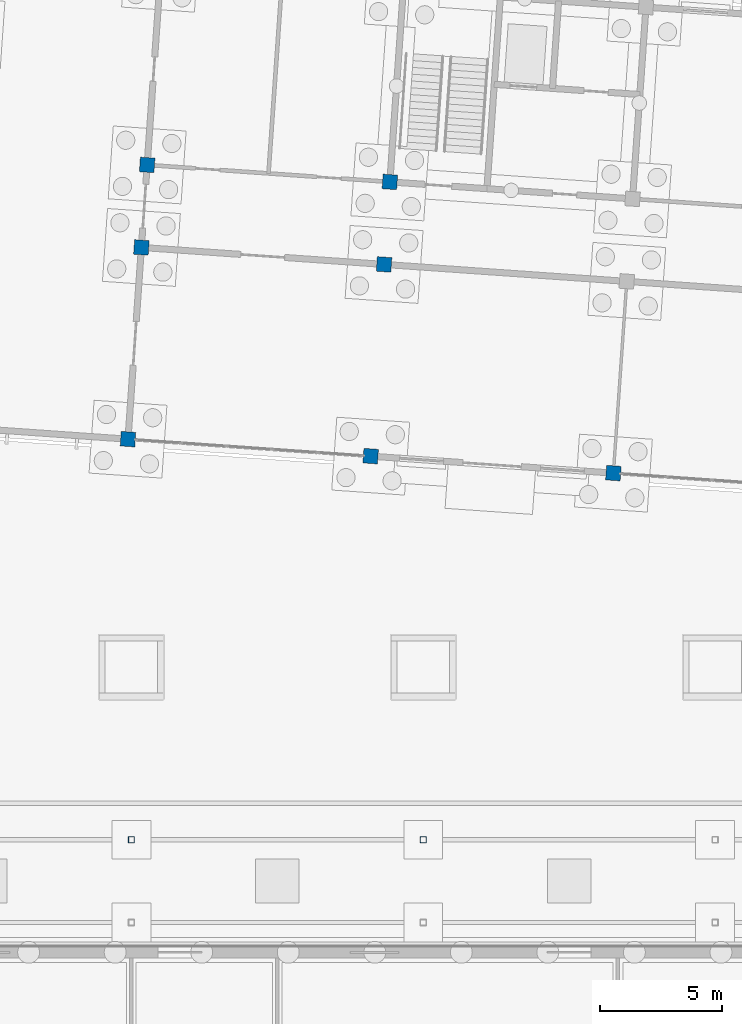
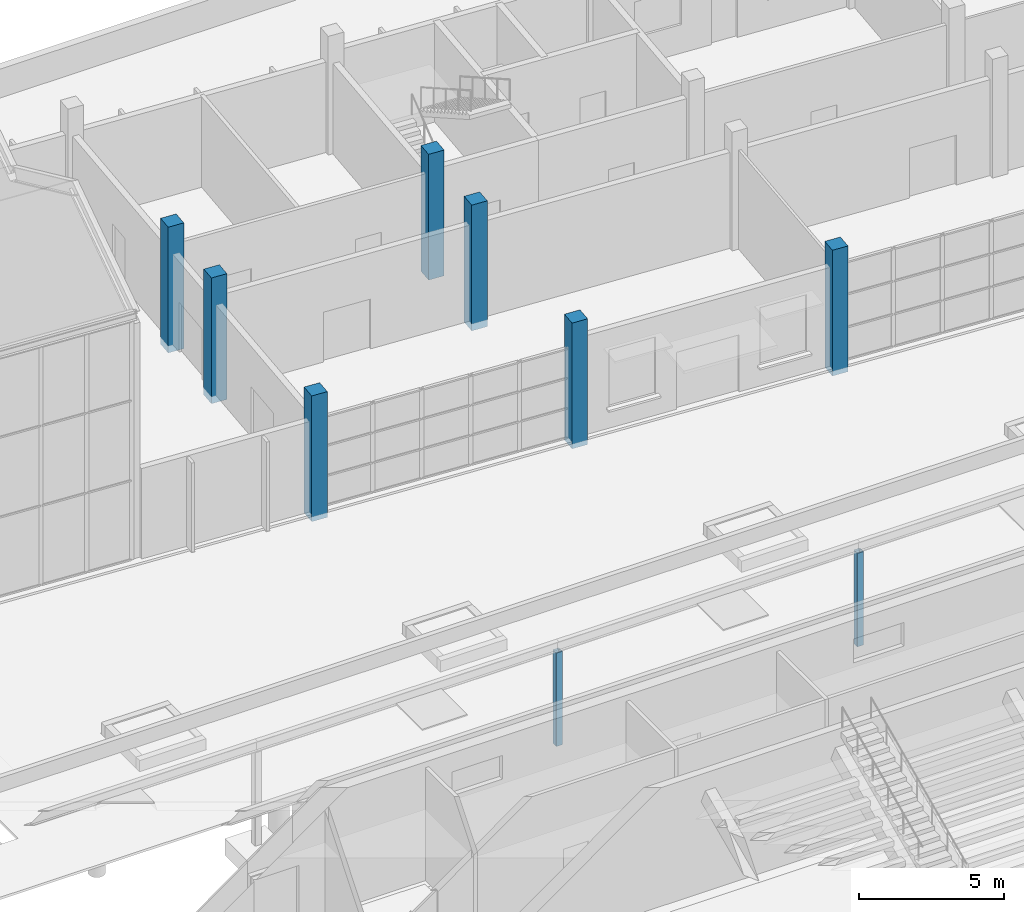
# One storey, part 19 of 157: 9 columns.
"""IFC4 building model written with IfcOpenShell, lengths in metres."""

from ifc_helpers import new_model, si_unit, direction, frame, origin, origin_2d, place, context, subcontext, project, spatial, rectangle, hollow_rectangle, extrude, material, material_profile, profile_set, type_object, element, save


model = new_model("IFC4")

# Units and contexts
model_context = context("Model", 3, precision=1e-05, world=origin(), true_north=direction((0.0, 1.0)))
body_context = subcontext(model_context, "Body", "Model", "MODEL_VIEW")
ifc_project = project(units=[si_unit("LENGTHUNIT", "METRE"), si_unit("AREAUNIT", "SQUARE_METRE"), si_unit("VOLUMEUNIT", "CUBIC_METRE"), si_unit("PLANEANGLEUNIT", "RADIAN"), si_unit("MASSUNIT", "GRAM", prefix="KILO")], contexts=[model_context])

# Site, building, storey
site_placement = place(None, origin())
site = spatial("IfcSite", under=ifc_project, at=site_placement, CompositionType="ELEMENT")
building_placement = place(site_placement, origin())
building = spatial("IfcBuilding", under=site, at=building_placement, Name="Windward Yard Aquatics Centre", CompositionType="ELEMENT")
storey_placement = place(building_placement, origin())
storey = spatial("IfcBuildingStorey", under=building, at=storey_placement, Name="L00", CompositionType="ELEMENT", Elevation=0.0)

# Columns
ifc_material_1 = material(Name="Steel ASTM A500 Gr C", Category="steel")
ifc_material_profile_1 = material_profile(ifc_material_1, hollow_rectangle(XDim=0.25390625, YDim=0.25390625, WallThickness=0.0126953125, InnerFilletRadius=0.00634765625, OuterFilletRadius=0.01904296875, at=origin_2d()), Name="HSS254X254X12.7")
ifc_profile_set_1 = profile_set([ifc_material_profile_1], Name="Steel ASTM A500 Gr C")
column_type_1 = type_object("IfcColumnType", Name="A column HSS254X254X12.7", PredefinedType="COLUMN", material=ifc_profile_set_1)
for number, where, z_axis, x_axis, name in (
    (1, (108.0, 100.39990234375, 0.0), (0.0, 0.0, 1.0), (1.0, 0.0, 0.0), "A.COL.L00.6.2"),
    (2, (120.0, 100.39990234375, 0.0), (0.0, 0.0, 1.0), (1.0, 0.0, 0.0), "A.COL.L00.7.2"),
):
    element("IfcColumn", number, at=place(storey_placement, frame(where, z_axis=z_axis, x_axis=x_axis)), inside=storey, type_object=column_type_1, Name=name, PredefinedType="COLUMN", context=body_context, shape_type="SweptSolid", body=[
        extrude(hollow_rectangle(XDim=0.25390625, YDim=0.25390625, WallThickness=0.0126953125, InnerFilletRadius=0.00634765625, OuterFilletRadius=0.01904296875, at=origin_2d()), origin(), (0.0, 0.0, 1.0), 3.93310546875),
    ])
ifc_material_2 = material(Name="Concrete C50/60", Category="concrete")
ifc_material_profile_2 = material_profile(ifc_material_2, rectangle(XDim=0.60009765625, YDim=0.60009765625, at=origin_2d()), Name="RC 600x600")
ifc_profile_set_2 = profile_set([ifc_material_profile_2], Name="Concrete C50/60")
column_type_2 = type_object("IfcColumnType", Name="W RC 600x600 column Concrete C50/60", PredefinedType="COLUMN", material=ifc_profile_set_2)
for number, where, z_axis, x_axis, name in (
    (3, (107.86328125, 116.864990234375, -0.300048828125), (0.0, 0.0, 1.0), (0.99756405026, -0.069756473744, 0.0), "W.COL.L00.1A"),
    (4, (108.414306640625, 124.745849609375, -0.300048828125), (0.0, 0.0, 1.0), (0.99756405026, -0.069756473744, 0.0), "W.COL.L00.1B"),
    (5, (108.651611328125, 128.1376953125, -0.300048828125), (0.0, 0.0, 1.0), (0.99756405026, -0.069756473744, 0.0), "W.COL.L00.1C"),
    (6, (117.8388671875, 116.16748046875, -0.300048828125), (0.0, 0.0, 1.0), (0.99756405026, -0.069756473744, 0.0), "W.COL.L00.2A"),
    (7, (118.389892578125, 124.04833984375, -0.300048828125), (0.0, 0.0, 1.0), (0.99756405026, -0.069756473744, 0.0), "W.COL.L00.2B"),
    (8, (118.627197265625, 127.43994140625, -0.300048828125), (0.0, 0.0, 1.0), (0.99756405026, -0.069756473744, 0.0), "W.COL.L00.2C"),
    (9, (127.814453125, 115.469970703125, -0.300048828125), (0.0, 0.0, 1.0), (0.99756405026, -0.069756473744, 0.0), "W.COL.L00.3A"),
):
    element("IfcColumn", number, at=place(storey_placement, frame(where, z_axis=z_axis, x_axis=x_axis)), inside=storey, type_object=column_type_2, Name=name, PredefinedType="COLUMN", context=body_context, shape_type="SweptSolid", body=[
        extrude(rectangle(XDim=0.60009765625, YDim=0.60009765625, at=origin_2d()), origin(), (0.0, 0.0, 1.0), 5.300048828125),
    ])

save(model, "model.ifc")
